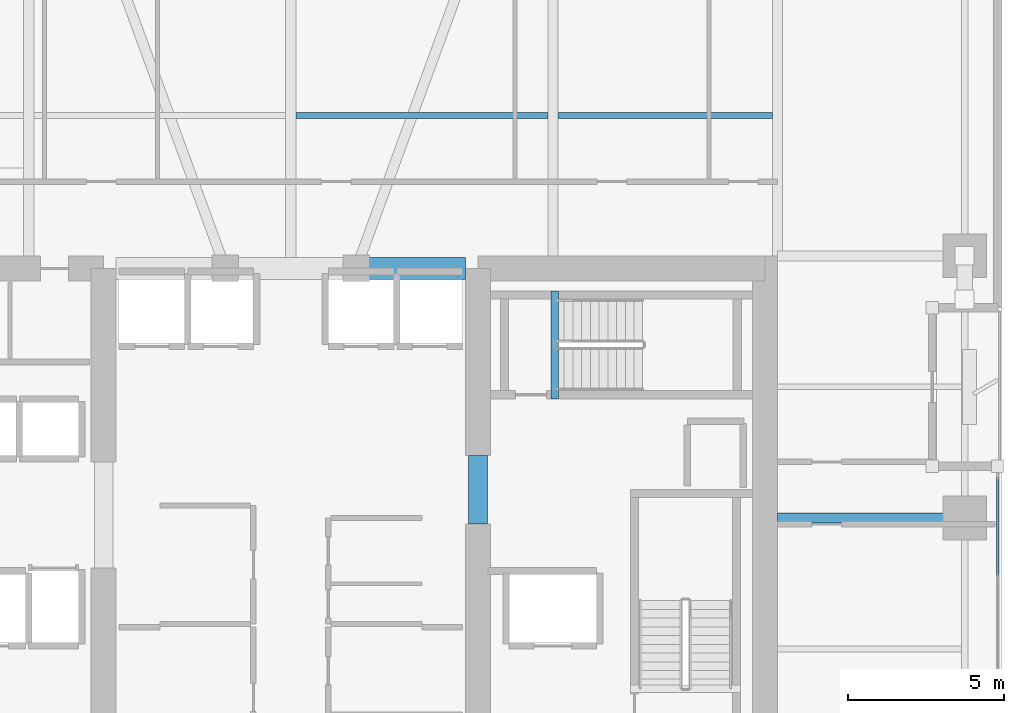
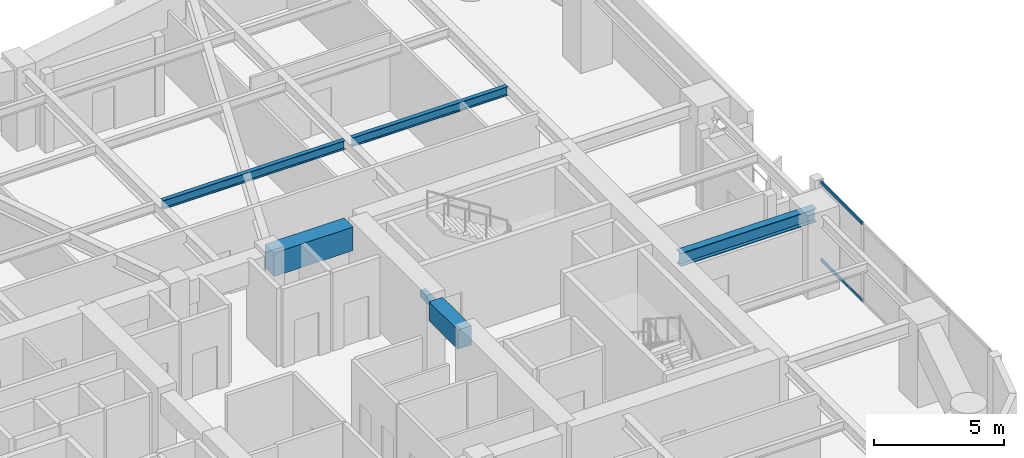
# One storey, part 10 of 30: 6 beams, 2 members, 1 element without a shape of its own.
"""IFC4 building model written with IfcOpenShell, lengths in metres."""

from ifc_helpers import new_model, si_unit, direction, frame, origin, origin_2d, place, context, subcontext, project, spatial, rectangle, hollow_rectangle, i_section, extrude, material, layer, layer_set, material_profile, profile_set, type_object, element, aggregate, save


model = new_model("IFC4")

# Units and contexts
model_context = context("Model", 3, precision=1e-05, world=origin(), true_north=direction((0.0, 1.0)))
body_context = subcontext(model_context, "Body", "Model", "MODEL_VIEW")
ifc_project = project(units=[si_unit("LENGTHUNIT", "METRE"), si_unit("AREAUNIT", "SQUARE_METRE"), si_unit("VOLUMEUNIT", "CUBIC_METRE"), si_unit("PLANEANGLEUNIT", "RADIAN"), si_unit("MASSUNIT", "GRAM", prefix="KILO")], contexts=[model_context])

# Site, building, storey
site_placement = place(None, origin())
site = spatial("IfcSite", under=ifc_project, at=site_placement, CompositionType="ELEMENT")
building_placement = place(site_placement, origin())
building = spatial("IfcBuilding", under=site, at=building_placement, Name="Kiyonajd Concourse Tower", CompositionType="ELEMENT")
storey_placement = place(building_placement, frame((0.0, 0.0, 150.60009765625)))
storey = spatial("IfcBuildingStorey", under=building, at=storey_placement, Name="L38", CompositionType="ELEMENT", Elevation=150.60009765625)

# Beams
ifc_material_1 = material(Name="Concrete C70/85", Category="concrete")
ifc_material_profile_1 = material_profile(ifc_material_1, rectangle(XDim=0.699951171875, YDim=1.10009765625, at=origin_2d()), Name="RCBM-700x1100")
ifc_profile_set_1 = profile_set([ifc_material_profile_1], Name="Concrete C70/85")
beam_type_1 = type_object("IfcBeamType", Name="BM-COUP-1100", PredefinedType="LINTEL", material=ifc_profile_set_1)
beam_1_placement = place(storey_placement, frame((50.10009765625, 44.0, 3.1298828125), z_axis=(1.0, 0.0, 0.0), x_axis=(0.0, 1.0, 0.0)))
element("IfcBeam", 1, at=beam_1_placement, inside=storey, type_object=beam_type_1, Name="L38 Core Coupling Beam N3", PredefinedType="LINTEL", context=body_context, shape_type="SweptSolid", body=[
    extrude(rectangle(XDim=0.699951171875, YDim=1.10009765625, at=origin_2d()), origin(), (0.0, 0.0, 1.0), 3.5),
])
ifc_material_2 = material(Name="Concrete C60/75", Category="concrete")
ifc_material_profile_2 = material_profile(ifc_material_2, rectangle(XDim=0.60009765625, YDim=0.89990234375, at=origin_2d()), Name="RCBM-600x900")
ifc_profile_set_2 = profile_set([ifc_material_profile_2], Name="Concrete C60/75")
beam_type_2 = type_object("IfcBeamType", Name="BM-COUP-900", PredefinedType="LINTEL", material=ifc_profile_set_2)
beam_2_placement = place(storey_placement, frame((54.0, 35.800048828125, 3.1298828125), z_axis=(0.0, 1.0, 0.0), x_axis=(-1.0, 0.0, 0.0)))
element("IfcBeam", 2, at=beam_2_placement, inside=storey, type_object=beam_type_2, Name="L38 East Core Throat Coupling Lintel", PredefinedType="LINTEL", context=body_context, shape_type="SweptSolid", body=[
    extrude(rectangle(XDim=0.60009765625, YDim=0.89990234375, at=origin_2d()), origin(), (0.0, 0.0, 1.0), 2.199951171875),
])
ifc_material_3 = material(Name="Steel ASTM A992 Grade 50", Category="steel")
ifc_material_profile_3 = material_profile(ifc_material_3, i_section(OverallWidth=0.180908203125, OverallDepth=0.4169921875, WebThickness=0.010986328125, FlangeThickness=0.018310546875, at=origin_2d()), Name="W410X85")
ifc_profile_set_3 = profile_set([ifc_material_profile_3], Name="Steel ASTM A992 Grade 50")
beam_type_3 = type_object("IfcBeamType", Name="BM-JST-410", PredefinedType="JOIST", material=ifc_profile_set_3)
beam_3_placement = place(storey_placement, frame((48.16357421875, 48.89990234375, 3.471435546875), z_axis=(1.0, 0.0, 0.0), x_axis=(0.0, 1.0, 0.0)))
element("IfcBeam", 3, at=beam_3_placement, inside=storey, type_object=beam_type_3, Name="L38 Secondary Floor Joist", PredefinedType="JOIST", context=body_context, shape_type="SweptSolid", body=[
    extrude(i_section(OverallWidth=0.180908203125, OverallDepth=0.4169921875, WebThickness=0.010986328125, FlangeThickness=0.018310546875, at=origin_2d()), origin(), (0.0, 0.0, 1.0), 8.072998046875),
])
beam_4_placement = place(storey_placement, frame((56.5634765625, 48.89990234375, 3.471435546875), z_axis=(1.0, 0.0, 0.0), x_axis=(0.0, 1.0, 0.0)))
element("IfcBeam", 4, at=beam_4_placement, inside=storey, type_object=beam_type_3, Name="L38 Secondary Floor Joist", PredefinedType="JOIST", context=body_context, shape_type="SweptSolid", body=[
    extrude(i_section(OverallWidth=0.180908203125, OverallDepth=0.4169921875, WebThickness=0.010986328125, FlangeThickness=0.018310546875, at=origin_2d()), origin(), (0.0, 0.0, 1.0), 6.873046875),
])
ifc_material_4 = material(Name="Concrete C50/60", Category="concrete")
ifc_material_profile_4 = material_profile(ifc_material_4, rectangle(XDim=0.239990234375, YDim=0.320068359375, at=origin_2d()), Name="RCBM-240x320")
ifc_profile_set_4 = profile_set([ifc_material_profile_4], Name="Concrete C50/60")
beam_type_4 = type_object("IfcBeamType", Name="BM-LNT-250", PredefinedType="LINTEL", material=ifc_profile_set_4)
beam_5_placement = place(storey_placement, frame((56.4599609375, 39.820068359375, -0.16015625), z_axis=(0.0, 1.0, 0.0), x_axis=(-1.0, 0.0, 0.0)))
element("IfcBeam", 5, at=beam_5_placement, inside=storey, type_object=beam_type_4, Name="L38 Stair ST3 Threshold Support Beam", PredefinedType="LINTEL", context=body_context, shape_type="SweptSolid", body=[
    extrude(rectangle(XDim=0.239990234375, YDim=0.320068359375, at=origin_2d()), origin(), (0.0, 0.0, 1.0), 3.4599609375),
])
ifc_material_profile_5 = material_profile(ifc_material_3, i_section(OverallWidth=0.326904296875, OverallDepth=0.6220703125, WebThickness=0.015380859375, FlangeThickness=0.0244140625, at=origin_2d()), Name="W610X195")
ifc_profile_set_5 = profile_set([ifc_material_profile_5], Name="Steel ASTM A992 Grade 50")
beam_type_5 = type_object("IfcBeamType", Name="BM-TWR-610A", PredefinedType="BEAM", material=ifc_profile_set_5)
beam_6_placement = place(storey_placement, frame((63.60009765625, 36.0, 3.368896484375), z_axis=(1.0, 0.0, 0.0), x_axis=(0.0, 1.0, 0.0)))
element("IfcBeam", 6, at=beam_6_placement, inside=storey, type_object=beam_type_5, Name="L38 East Lease Girder", PredefinedType="BEAM", context=body_context, shape_type="SweptSolid", body=[
    extrude(i_section(OverallWidth=0.326904296875, OverallDepth=0.6220703125, WebThickness=0.015380859375, FlangeThickness=0.0244140625, at=origin_2d()), origin(), (0.0, 0.0, 1.0), 6.0),
])

# Curtain wall, members
ifc_material_5 = material(Name="Thermally Broken Anodised Aluminium", Category="aluminium")
ifc_layer = layer(ifc_material_5, 0.179931640625)
ifc_layer_set = layer_set([ifc_layer], Name="Thermally Broken Anodised Aluminium")
curtain_wall_type = type_object("IfcCurtainWallType", Name="CW-SYS-03", PredefinedType="NOTDEFINED", material=ifc_layer_set)
curtain_wall_placement = place(storey_placement, origin())
curtain_wall = element("IfcCurtainWall", 7, at=curtain_wall_placement, inside=storey, type_object=curtain_wall_type, Name="L38 Unitised Curtain Wall CW3", PredefinedType="NOTDEFINED")
ifc_material_profile_6 = material_profile(ifc_material_5, hollow_rectangle(XDim=0.06494140625, YDim=0.139892578125, WallThickness=0.00390625, at=origin_2d()), Name="TRAN-65x140")
ifc_profile_set_6 = profile_set([ifc_material_profile_6], Name="Thermally Broken Anodised Aluminium")
member_type = type_object("IfcMemberType", Name="MB-CW-TRAN1", PredefinedType="USERDEFINED", material=ifc_profile_set_6)
member_1_placement = place(storey_placement, frame((70.659912109375, 37.304931640625, 0.032470703125), z_axis=(0.0, -1.0, 0.0), x_axis=(1.0, 0.0, 0.0)))
member_1 = element("IfcMember", 8, at=member_1_placement, type_object=member_type, Name="CW3 transom 1.1", ObjectType="TRANSOM", PredefinedType="USERDEFINED", context=body_context, shape_type="SweptSolid", body=[
    extrude(hollow_rectangle(XDim=0.06494140625, YDim=0.139892578125, WallThickness=0.00390625, at=origin_2d()), origin(), (0.0, 0.0, 1.0), 3.167724609375),
])
member_2_placement = place(storey_placement, frame((70.659912109375, 37.304931640625, 3.6474609375), z_axis=(0.0, -1.0, 0.0), x_axis=(1.0, 0.0, 0.0)))
member_2 = element("IfcMember", 9, at=member_2_placement, type_object=member_type, Name="CW3 transom 1.2", ObjectType="TRANSOM", PredefinedType="USERDEFINED", context=body_context, shape_type="SweptSolid", body=[
    extrude(hollow_rectangle(XDim=0.06494140625, YDim=0.139892578125, WallThickness=0.00390625, at=origin_2d()), origin(), (0.0, 0.0, 1.0), 3.167724609375),
])
aggregate(curtain_wall, [member_1, member_2])

save(model, "model.ifc")
